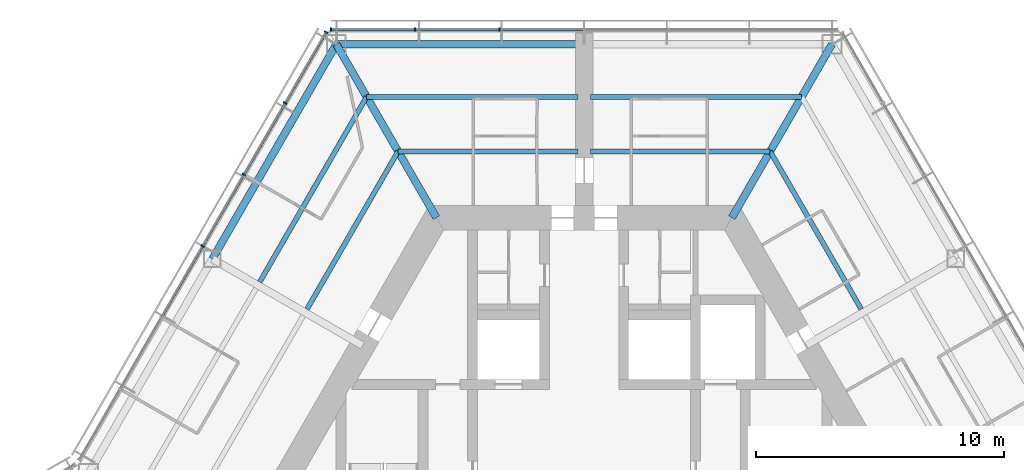
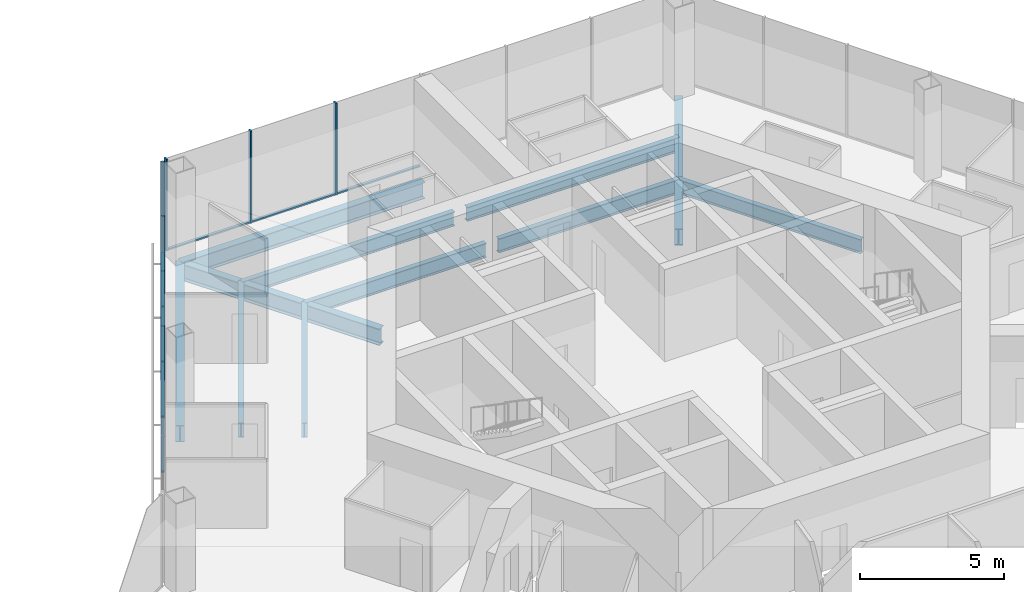
# One storey, part 7 of 18: 14 members, 11 beams, 2 elements without a shape of their own.
"""IFC4 building model written with IfcOpenShell, lengths in metres."""

from ifc_helpers import new_model, si_unit, direction, frame, origin, origin_2d, place, context, subcontext, project, spatial, rectangle, i_section, extrude, material, material_profile, profile_set, type_object, element, aggregate, save


model = new_model("IFC4")

# Units and contexts
model_context = context("Model", 3, precision=1e-05, world=origin(), true_north=direction((0.0, 1.0)))
body_context = subcontext(model_context, "Body", "Model", "MODEL_VIEW")
ifc_project = project(units=[si_unit("LENGTHUNIT", "METRE"), si_unit("AREAUNIT", "SQUARE_METRE"), si_unit("VOLUMEUNIT", "CUBIC_METRE"), si_unit("PLANEANGLEUNIT", "RADIAN"), si_unit("MASSUNIT", "GRAM", prefix="KILO")], contexts=[model_context])

# Site, building, storey
site_placement = place(None, origin())
site = spatial("IfcSite", under=ifc_project, at=site_placement, CompositionType="ELEMENT")
building_placement = place(site_placement, origin())
building = spatial("IfcBuilding", under=site, at=building_placement, Name="Kasaneha Research Tower", CompositionType="ELEMENT")
storey_placement = place(building_placement, frame((0.0, 0.0, 168.199951171875)))
storey = spatial("IfcBuildingStorey", under=building, at=storey_placement, Name="L42", CompositionType="ELEMENT", Elevation=168.199951171875)

# Beams
ifc_material_1 = material(Name="Steel SN490B", Category="steel")
ifc_material_profile_1 = material_profile(ifc_material_1, i_section(OverallWidth=0.199951171875, OverallDepth=0.60009765625, WebThickness=0.010986328125, FlangeThickness=0.01708984375, FilletRadius=0.012939453125, at=origin_2d()), Name="H-600x200x11x17")
ifc_profile_set_1 = profile_set([ifc_material_profile_1], Name="Steel SN490B")
beam_type_1 = type_object("IfcBeamType", Name="B1-3 secondary beam H-600x200x11x17", PredefinedType="JOIST", material=ifc_profile_set_1)
beam_1_placement = place(storey_placement, frame((7.505615234375, 13.0, -0.449951171875), z_axis=(0.499994443168, -0.866028611999, 0.0), x_axis=(0.866028611999, 0.499994443168, 0.0)))
element("IfcBeam", 1, at=beam_1_placement, inside=storey, type_object=beam_type_1, Name="Secondary beam RS030R1 L42", PredefinedType="JOIST", context=body_context, shape_type="SweptSolid", body=[
    extrude(i_section(OverallWidth=0.199951171875, OverallDepth=0.60009765625, WebThickness=0.010986328125, FlangeThickness=0.01708984375, FilletRadius=0.012939453125, at=origin_2d()), origin(), (0.0, 0.0, 1.0), 7.35546875),
])
beam_2_placement = place(storey_placement, frame((7.505615234375, 13.0, -0.449951171875), z_axis=(-1.0, 0.0, 0.0), x_axis=(0.0, -1.0, 0.0)))
element("IfcBeam", 2, at=beam_2_placement, inside=storey, type_object=beam_type_1, Name="Secondary beam RS090L1 L42", PredefinedType="JOIST", context=body_context, shape_type="SweptSolid", body=[
    extrude(i_section(OverallWidth=0.199951171875, OverallDepth=0.60009765625, WebThickness=0.010986328125, FlangeThickness=0.01708984375, FilletRadius=0.012939453125, at=origin_2d()), origin(), (0.0, 0.0, 1.0), 7.255615234375),
])
beam_3_placement = place(storey_placement, frame((8.775634765625, 15.199951171875, -0.449951171875), z_axis=(-1.0, 0.0, 0.0), x_axis=(0.0, -1.0, 0.0)))
element("IfcBeam", 3, at=beam_3_placement, inside=storey, type_object=beam_type_1, Name="Secondary beam RS090L2 L42", PredefinedType="JOIST", context=body_context, shape_type="SweptSolid", body=[
    extrude(i_section(OverallWidth=0.199951171875, OverallDepth=0.60009765625, WebThickness=0.010986328125, FlangeThickness=0.01708984375, FilletRadius=0.012939453125, at=origin_2d()), origin(), (0.0, 0.0, 1.0), 8.525634765625),
])
beam_4_placement = place(storey_placement, frame((-7.505615234375, 13.0, -0.449951171875), z_axis=(1.0, 0.0, 0.0), x_axis=(0.0, 1.0, 0.0)))
element("IfcBeam", 4, at=beam_4_placement, inside=storey, type_object=beam_type_1, Name="Secondary beam RS090R1 L42", PredefinedType="JOIST", context=body_context, shape_type="SweptSolid", body=[
    extrude(i_section(OverallWidth=0.199951171875, OverallDepth=0.60009765625, WebThickness=0.010986328125, FlangeThickness=0.01708984375, FilletRadius=0.012939453125, at=origin_2d()), origin(), (0.0, 0.0, 1.0), 7.255615234375),
])
beam_5_placement = place(storey_placement, frame((-8.775634765625, 15.199951171875, -0.449951171875), z_axis=(1.0, 0.0, 0.0), x_axis=(0.0, 1.0, 0.0)))
element("IfcBeam", 5, at=beam_5_placement, inside=storey, type_object=beam_type_1, Name="Secondary beam RS090R2 L42", PredefinedType="JOIST", context=body_context, shape_type="SweptSolid", body=[
    extrude(i_section(OverallWidth=0.199951171875, OverallDepth=0.60009765625, WebThickness=0.010986328125, FlangeThickness=0.01708984375, FilletRadius=0.012939453125, at=origin_2d()), origin(), (0.0, 0.0, 1.0), 8.525634765625),
])
beam_6_placement = place(storey_placement, frame((-7.505615234375, 13.0, -0.449951171875), z_axis=(-0.499994443168, -0.866028611999, 0.0), x_axis=(0.866028611999, -0.499994443168, 0.0)))
element("IfcBeam", 6, at=beam_6_placement, inside=storey, type_object=beam_type_1, Name="Secondary beam RS150L1 L42", PredefinedType="JOIST", context=body_context, shape_type="SweptSolid", body=[
    extrude(i_section(OverallWidth=0.199951171875, OverallDepth=0.60009765625, WebThickness=0.010986328125, FlangeThickness=0.01708984375, FilletRadius=0.012939453125, at=origin_2d()), origin(), (0.0, 0.0, 1.0), 7.35546875),
])
beam_7_placement = place(storey_placement, frame((-8.775634765625, 15.199951171875, -0.449951171875), z_axis=(-0.500017275495, -0.866015429543, 0.0), x_axis=(0.866015429543, -0.500017275495, 0.0)))
element("IfcBeam", 7, at=beam_7_placement, inside=storey, type_object=beam_type_1, Name="Secondary beam RS150L2 L42", PredefinedType="JOIST", context=body_context, shape_type="SweptSolid", body=[
    extrude(i_section(OverallWidth=0.199951171875, OverallDepth=0.60009765625, WebThickness=0.010986328125, FlangeThickness=0.01708984375, FilletRadius=0.012939453125, at=origin_2d()), origin(), (0.0, 0.0, 1.0), 8.625732421875),
])

# Curtain wall, members
ifc_material_2 = material(Name="Glass and aluminium", Category="aluminium")
curtain_wall_type = type_object("IfcCurtainWallType", Name="Mid-rise office curtain wall", PredefinedType="USERDEFINED", material=ifc_material_2)
curtain_wall_1_placement = place(storey_placement, origin())
curtain_wall_1 = element("IfcCurtainWall", 8, at=curtain_wall_1_placement, inside=storey, type_object=curtain_wall_type, Name="CW-O2 L42 run 07a", ObjectType="UNITISED CURTAIN WALL", PredefinedType="USERDEFINED")
ifc_material_3 = material(Name="Aluminium 6063-T6", Category="aluminium")
ifc_material_profile_2 = material_profile(ifc_material_3, rectangle(XDim=0.06005859375, YDim=0.14990234375, at=origin_2d()), Name="CW-O2 mullion 60x150")
ifc_profile_set_2 = profile_set([ifc_material_profile_2], Name="Aluminium 6063-T6")
member_type_1 = type_object("IfcMemberType", Name="CW-O2 mullion", PredefinedType="MULLION", material=ifc_profile_set_2)
member_1_placement = place(storey_placement, frame((-3.41552734375, 17.92041015625, 0.0), z_axis=(0.0, 0.0, 1.0), x_axis=(-1.0, 0.0, 0.0)))
member_1 = element("IfcMember", 9, at=member_1_placement, type_object=member_type_1, Name="CW-O2 mullion 5", PredefinedType="MULLION", context=body_context, shape_type="SweptSolid", body=[
    extrude(rectangle(XDim=0.06005859375, YDim=0.14990234375, at=origin_2d()), origin(), (0.0, 0.0, 1.0), 3.900146484375),
])
member_2_placement = place(storey_placement, frame((-6.8310546875, 17.92041015625, 0.0), z_axis=(0.0, 0.0, 1.0), x_axis=(-1.0, 0.0, 0.0)))
member_2 = element("IfcMember", 10, at=member_2_placement, type_object=member_type_1, Name="CW-O2 mullion 6", PredefinedType="MULLION", context=body_context, shape_type="SweptSolid", body=[
    extrude(rectangle(XDim=0.06005859375, YDim=0.14990234375, at=origin_2d()), origin(), (0.0, 0.0, 1.0), 3.900146484375),
])
member_3_placement = place(storey_placement, frame((-10.21630859375, 17.92041015625, 0.0), z_axis=(0.0, 0.0, 1.0), x_axis=(-1.0, 0.0, 0.0)))
member_3 = element("IfcMember", 11, at=member_3_placement, type_object=member_type_1, Name="CW-O2 mullion 7", PredefinedType="MULLION", context=body_context, shape_type="SweptSolid", body=[
    extrude(rectangle(XDim=0.06005859375, YDim=0.14990234375, at=origin_2d()), origin(), (0.0, 0.0, 1.0), 3.900146484375),
])

curtain_wall_2_placement = place(storey_placement, origin())
curtain_wall_2 = element("IfcCurtainWall", 12, at=curtain_wall_2_placement, inside=storey, type_object=curtain_wall_type, Name="CW-O2 L42 run 08a", ObjectType="UNITISED CURTAIN WALL", PredefinedType="USERDEFINED")
member_4_placement = place(storey_placement, frame((-10.411376953125, 17.807861328125, 0.0), z_axis=(0.0, 0.0, 1.0), x_axis=(-0.499999979232, -0.866025415775, 0.0)))
member_4 = element("IfcMember", 13, at=member_4_placement, type_object=member_type_1, Name="CW-O2 mullion 1", PredefinedType="MULLION", context=body_context, shape_type="SweptSolid", body=[
    extrude(rectangle(XDim=0.06005859375, YDim=0.14990234375, at=origin_2d()), origin(), (0.0, 0.0, 1.0), 3.900146484375),
])
member_5_placement = place(storey_placement, frame((-12.061767578125, 14.94921875, 0.0), z_axis=(0.0, 0.0, 1.0), x_axis=(-0.499999979232, -0.866025415775, 0.0)))
member_5 = element("IfcMember", 14, at=member_5_placement, type_object=member_type_1, Name="CW-O2 mullion 2", PredefinedType="MULLION", context=body_context, shape_type="SweptSolid", body=[
    extrude(rectangle(XDim=0.06005859375, YDim=0.14990234375, at=origin_2d()), origin(), (0.0, 0.0, 1.0), 3.900146484375),
])
member_6_placement = place(storey_placement, frame((-13.727294921875, 12.064453125, 0.0), z_axis=(0.0, 0.0, 1.0), x_axis=(-0.499999979232, -0.866025415775, 0.0)))
member_6 = element("IfcMember", 15, at=member_6_placement, type_object=member_type_1, Name="CW-O2 mullion 3", PredefinedType="MULLION", context=body_context, shape_type="SweptSolid", body=[
    extrude(rectangle(XDim=0.06005859375, YDim=0.14990234375, at=origin_2d()), origin(), (0.0, 0.0, 1.0), 3.900146484375),
])
member_7_placement = place(storey_placement, frame((-15.392822265625, 9.179931640625, 0.0), z_axis=(0.0, 0.0, 1.0), x_axis=(-0.499999979232, -0.866025415775, 0.0)))
member_7 = element("IfcMember", 16, at=member_7_placement, type_object=member_type_1, Name="CW-O2 mullion 4", PredefinedType="MULLION", context=body_context, shape_type="SweptSolid", body=[
    extrude(rectangle(XDim=0.06005859375, YDim=0.14990234375, at=origin_2d()), origin(), (0.0, 0.0, 1.0), 3.900146484375),
])

# Member
ifc_material_4 = material(Name="Aluminium 6063-T6", Category="aluminium")
ifc_material_profile_3 = material_profile(ifc_material_4, rectangle(XDim=0.110107421875, YDim=0.06005859375, at=origin_2d()), Name="CW-O2 transom 110x60")
ifc_profile_set_3 = profile_set([ifc_material_profile_3], Name="Aluminium 6063-T6")
member_type_2 = type_object("IfcMemberType", Name="CW-O2 transom", PredefinedType="USERDEFINED", material=ifc_profile_set_3)
member_8_placement = place(storey_placement, frame((-0.030029296875, 17.92041015625, 0.030029296875), z_axis=(-1.0, 0.0, 0.0), x_axis=(0.0, -1.0, 0.0)))
member_8 = element("IfcMember", 17, at=member_8_placement, type_object=member_type_2, Name="CW-O2 transom 4", ObjectType="TRANSOM", PredefinedType="USERDEFINED", context=body_context, shape_type="SweptSolid", body=[
    extrude(rectangle(XDim=0.110107421875, YDim=0.06005859375, at=origin_2d()), origin(), (0.0, 0.0, 1.0), 3.35546875),
])

member_9_placement = place(storey_placement, frame((-3.445556640625, 17.92041015625, 0.030029296875), z_axis=(-1.0, 0.0, 0.0), x_axis=(0.0, -1.0, 0.0)))
member_9 = element("IfcMember", 18, at=member_9_placement, type_object=member_type_2, Name="CW-O2 transom 5", ObjectType="TRANSOM", PredefinedType="USERDEFINED", context=body_context, shape_type="SweptSolid", body=[
    extrude(rectangle(XDim=0.110107421875, YDim=0.06005859375, at=origin_2d()), origin(), (0.0, 0.0, 1.0), 3.35546875),
])

member_10_placement = place(storey_placement, frame((-6.86083984375, 17.92041015625, 0.030029296875), z_axis=(-1.0, 0.0, 0.0), x_axis=(0.0, -1.0, 0.0)))
member_10 = element("IfcMember", 19, at=member_10_placement, type_object=member_type_2, Name="CW-O2 transom 6", ObjectType="TRANSOM", PredefinedType="USERDEFINED", context=body_context, shape_type="SweptSolid", body=[
    extrude(rectangle(XDim=0.110107421875, YDim=0.06005859375, at=origin_2d()), origin(), (0.0, 0.0, 1.0), 3.32568359375),
])

aggregate(curtain_wall_1, [member_1, member_2, member_3, member_8, member_9, member_10])

member_11_placement = place(storey_placement, frame((-10.426513671875, 17.781982421875, 0.030029296875), z_axis=(-0.499955025697, -0.866051368154, 0.0), x_axis=(0.866051368154, -0.499955025697, 0.0)))
member_11 = element("IfcMember", 20, at=member_11_placement, type_object=member_type_2, Name="CW-O2 transom 1", ObjectType="TRANSOM", PredefinedType="USERDEFINED", context=body_context, shape_type="SweptSolid", body=[
    extrude(rectangle(XDim=0.110107421875, YDim=0.06005859375, at=origin_2d()), origin(), (0.0, 0.0, 1.0), 3.240966796875),
])

member_12_placement = place(storey_placement, frame((-12.076904296875, 14.92333984375, 0.030029296875), z_axis=(-0.500000270186, -0.866025247793, 0.0), x_axis=(0.866025247793, -0.500000270186, 0.0)))
member_12 = element("IfcMember", 21, at=member_12_placement, type_object=member_type_2, Name="CW-O2 transom 2", ObjectType="TRANSOM", PredefinedType="USERDEFINED", context=body_context, shape_type="SweptSolid", body=[
    extrude(rectangle(XDim=0.110107421875, YDim=0.06005859375, at=origin_2d()), origin(), (0.0, 0.0, 1.0), 3.27099609375),
])

member_13_placement = place(storey_placement, frame((-13.742431640625, 12.03857421875, 0.030029296875), z_axis=(-0.500000270186, -0.866025247793, 0.0), x_axis=(0.866025247793, -0.500000270186, 0.0)))
member_13 = element("IfcMember", 22, at=member_13_placement, type_object=member_type_2, Name="CW-O2 transom 3", ObjectType="TRANSOM", PredefinedType="USERDEFINED", context=body_context, shape_type="SweptSolid", body=[
    extrude(rectangle(XDim=0.110107421875, YDim=0.06005859375, at=origin_2d()), origin(), (0.0, 0.0, 1.0), 3.27099609375),
])

member_14_placement = place(storey_placement, frame((-15.40771484375, 9.15380859375, 0.030029296875), z_axis=(-0.50003259116, -0.866006586452, 0.0), x_axis=(0.866006586452, -0.50003259116, 0.0)))
member_14 = element("IfcMember", 23, at=member_14_placement, type_object=member_type_2, Name="CW-O2 transom 4", ObjectType="TRANSOM", PredefinedType="USERDEFINED", context=body_context, shape_type="SweptSolid", body=[
    extrude(rectangle(XDim=0.110107421875, YDim=0.06005859375, at=origin_2d()), origin(), (0.0, 0.0, 1.0), 3.270751953125),
])

aggregate(curtain_wall_2, [member_4, member_5, member_6, member_7, member_11, member_12, member_13, member_14])

# Beams
ifc_material_5 = material(Name="Steel SN490B", Category="steel")
ifc_material_profile_4 = material_profile(ifc_material_5, i_section(OverallWidth=0.300048828125, OverallDepth=0.699951171875, WebThickness=0.012939453125, FlangeThickness=0.02392578125, FilletRadius=0.01806640625, at=origin_2d()), Name="H-700x300x13x24")
ifc_profile_set_4 = profile_set([ifc_material_profile_4], Name="Steel SN490B")
beam_type_2 = type_object("IfcBeamType", Name="G1-3 radial girder H-700x300x13x24", PredefinedType="BEAM", material=ifc_profile_set_4)
for number, where, z_axis, x_axis, name in (
    (24, (5.961181640625, 10.324951171875, -0.5), (0.49999105496, 0.866030568144, 0.0), (-0.866030568144, 0.49999105496, 0.0), "Radial girder RV060 L42"),
    (25, (-5.961181640625, 10.324951171875, -0.5), (-0.49999105496, 0.866030568144, 0.0), (-0.866030568144, -0.49999105496, 0.0), "Radial girder RV120 L42"),
):
    element("IfcBeam", number, at=place(storey_placement, frame(where, z_axis=z_axis, x_axis=x_axis)), inside=storey, type_object=beam_type_2, Name=name, PredefinedType="BEAM", context=body_context, shape_type="SweptSolid", body=[
        extrude(i_section(OverallWidth=0.300048828125, OverallDepth=0.699951171875, WebThickness=0.012939453125, FlangeThickness=0.02392578125, FilletRadius=0.01806640625, at=origin_2d()), origin(), (0.0, 0.0, 1.0), 8.077880859375),
    ])
ifc_material_6 = material(Name="Steel SN490B", Category="steel")
ifc_material_profile_5 = material_profile(ifc_material_6, i_section(OverallWidth=0.300048828125, OverallDepth=0.69189453125, WebThickness=0.012939453125, FlangeThickness=0.02001953125, FilletRadius=0.01806640625, at=origin_2d()), Name="H-692x300x13x20")
ifc_profile_set_5 = profile_set([ifc_material_profile_5], Name="Steel SN490B")
beam_type_3 = type_object("IfcBeamType", Name="G3-3 plate edge girder H-692x300x13x20", PredefinedType="BEAM", material=ifc_profile_set_5)
beam_8_placement = place(storey_placement, frame((-10.0, 17.320556640625, -0.495849609375), z_axis=(1.0, 0.0, 0.0), x_axis=(0.0, 1.0, 0.0)))
element("IfcBeam", 26, at=beam_8_placement, inside=storey, type_object=beam_type_3, Name="Plate edge girder PEAN L42", PredefinedType="BEAM", context=body_context, shape_type="SweptSolid", body=[
    extrude(i_section(OverallWidth=0.300048828125, OverallDepth=0.69189453125, WebThickness=0.012939453125, FlangeThickness=0.02001953125, FilletRadius=0.01806640625, at=origin_2d()), origin(), (0.0, 0.0, 1.0), 9.75),
])
ifc_material_7 = material(Name="Steel SN490B", Category="steel")
ifc_material_profile_6 = material_profile(ifc_material_7, i_section(OverallWidth=0.300048828125, OverallDepth=0.69189453125, WebThickness=0.012939453125, FlangeThickness=0.02001953125, FilletRadius=0.01806640625, at=origin_2d()), Name="H-692x300x13x20")
ifc_profile_set_6 = profile_set([ifc_material_profile_6], Name="Steel SN490B")
beam_type_4 = type_object("IfcBeamType", Name="SB1-3 spandrel beam H-692x300x13x20", PredefinedType="SPANDREL", material=ifc_profile_set_6)
beam_9_placement = place(storey_placement, frame((-10.0, 17.320556640625, -0.495849609375), z_axis=(-0.499993662806, -0.866029062534, 0.0), x_axis=(0.866029062534, -0.499993662806, 0.0)))
element("IfcBeam", 27, at=beam_9_placement, inside=storey, type_object=beam_type_4, Name="Spandrel beam SR150L L42", PredefinedType="SPANDREL", context=body_context, shape_type="SweptSolid", body=[
    extrude(i_section(OverallWidth=0.300048828125, OverallDepth=0.69189453125, WebThickness=0.012939453125, FlangeThickness=0.02001953125, FilletRadius=0.01806640625, at=origin_2d()), origin(), (0.0, 0.0, 1.0), 10.000244140625),
])

save(model, "model.ifc")
